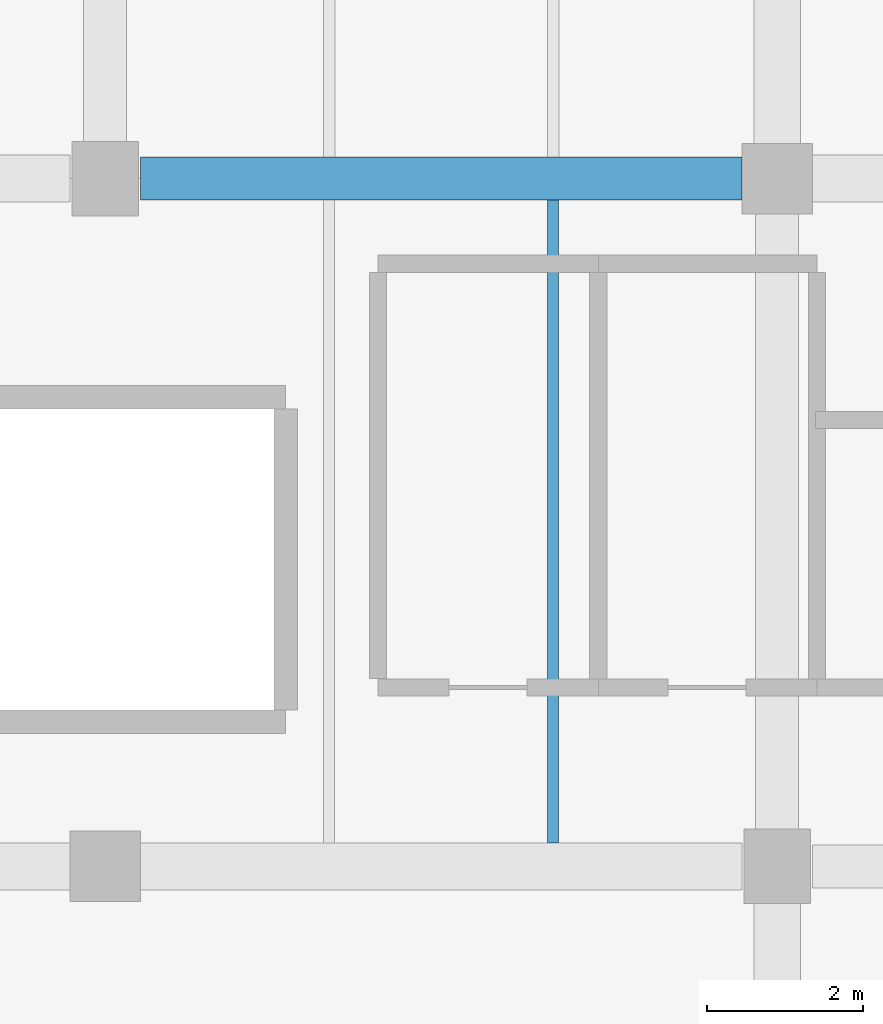
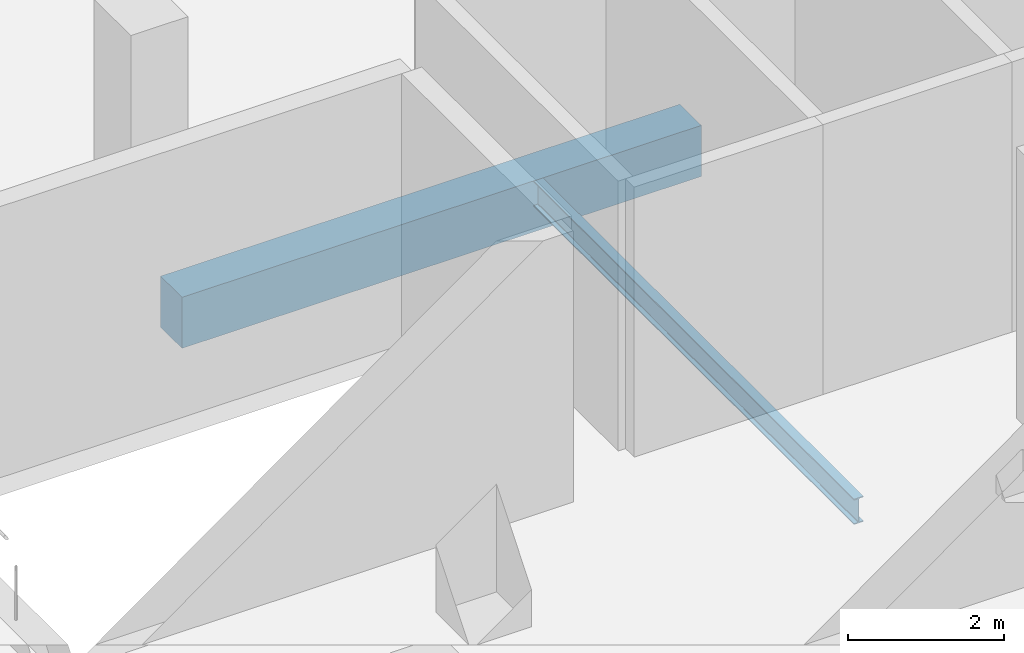
# One storey, part 14 of 76: 2 beams.
"""IFC4 building model written with IfcOpenShell, lengths in metres."""

from ifc_helpers import new_model, si_unit, direction, frame, origin, origin_2d, place, context, subcontext, project, spatial, rectangle, i_section, extrude, material, material_profile, profile_set, type_object, element, save


model = new_model("IFC4")

# Units and contexts
model_context = context("Model", 3, precision=1e-05, world=origin(), true_north=direction((0.0, 1.0)))
body_context = subcontext(model_context, "Body", "Model", "MODEL_VIEW")
ifc_project = project(units=[si_unit("LENGTHUNIT", "METRE"), si_unit("AREAUNIT", "SQUARE_METRE"), si_unit("VOLUMEUNIT", "CUBIC_METRE"), si_unit("PLANEANGLEUNIT", "RADIAN"), si_unit("MASSUNIT", "GRAM", prefix="KILO")], contexts=[model_context])

# Site, building, storey
site_placement = place(None, origin())
site = spatial("IfcSite", under=ifc_project, at=site_placement, CompositionType="ELEMENT")
building_placement = place(site_placement, origin())
building = spatial("IfcBuilding", under=site, at=building_placement, Name="Varnakota Cinema and Media Centre", CompositionType="ELEMENT")
storey_placement = place(building_placement, origin())
storey = spatial("IfcBuildingStorey", under=building, at=storey_placement, Name="L00", CompositionType="ELEMENT", Elevation=0.0)

# Beams
ifc_material_1 = material(Name="Concrete M35", Category="concrete")
ifc_material_profile_1 = material_profile(ifc_material_1, rectangle(XDim=0.550048828125, YDim=0.800048828125, at=origin_2d()), Name="RCB 550x800")
ifc_profile_set_1 = profile_set([ifc_material_profile_1], Name="Concrete M35")
beam_type_1 = type_object("IfcBeamType", Name="BM-RC-550x800", PredefinedType="BEAM", material=ifc_profile_set_1)
beam_1_placement = place(storey_placement, frame((9.050048828125, 35.199951171875, -0.679931640625), z_axis=(1.0, 0.0, 0.0), x_axis=(0.0, 1.0, 0.0)))
element("IfcBeam", 1, at=beam_1_placement, inside=storey, type_object=beam_type_1, Name="L00 girder B-C/5", PredefinedType="BEAM", context=body_context, shape_type="SweptSolid", body=[
    extrude(rectangle(XDim=0.550048828125, YDim=0.800048828125, at=origin_2d()), origin(), (0.0, 0.0, 1.0), 7.699951171875),
])
ifc_material_2 = material(Name="Structural steel Grade 350 (E350)", Category="steel")
ifc_material_profile_2 = material_profile(ifc_material_2, i_section(OverallWidth=0.139892578125, OverallDepth=0.39990234375, WebThickness=0.0087890625, FlangeThickness=0.01611328125, FilletRadius=0.013916015625, at=origin_2d()), Name="ISMB 400")
ifc_profile_set_2 = profile_set([ifc_material_profile_2], Name="Structural steel Grade 350 (E350)")
beam_type_2 = type_object("IfcBeamType", Name="BM-ST-ISMB400", PredefinedType="JOIST", material=ifc_profile_set_2)
beam_2_placement = place(storey_placement, frame((14.333251953125, 26.699951171875, -0.47998046875), z_axis=(0.0, 1.0, 0.0), x_axis=(-1.0, 0.0, 0.0)))
element("IfcBeam", 2, at=beam_2_placement, inside=storey, type_object=beam_type_2, Name="L00 steel joist B-C/4-5 #2", PredefinedType="JOIST", context=body_context, shape_type="SweptSolid", body=[
    extrude(i_section(OverallWidth=0.139892578125, OverallDepth=0.39990234375, WebThickness=0.0087890625, FlangeThickness=0.01611328125, FilletRadius=0.013916015625, at=origin_2d()), origin(), (0.0, 0.0, 1.0), 8.22509765625),
])

save(model, "model.ifc")
